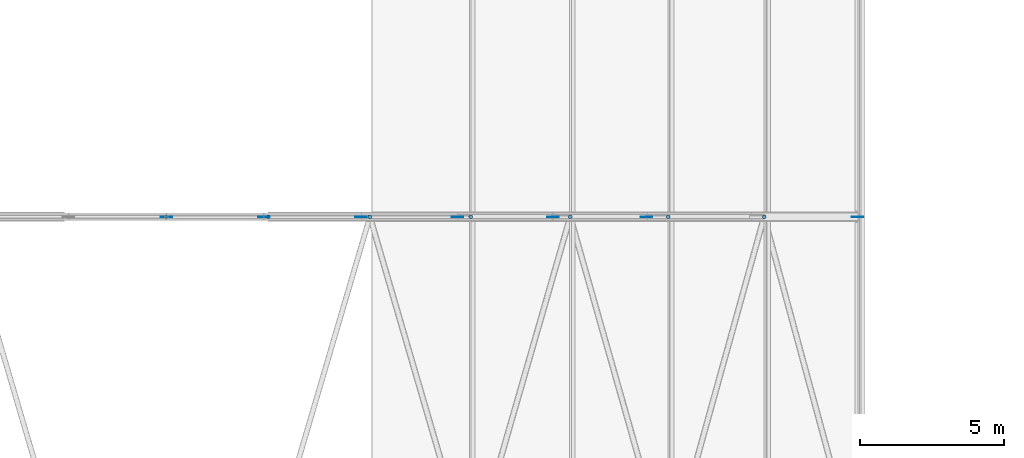
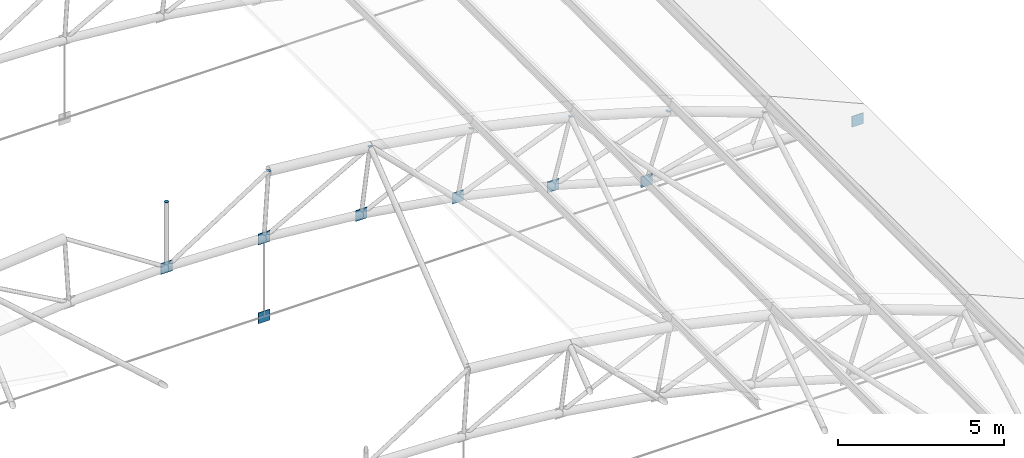
# One storey, part 289 of 321: 15 discrete accessories.
"""IFC4 building model written with IfcOpenShell, lengths in metres."""

from ifc_helpers import new_model, si_unit, direction, frame, origin, origin_2d, place, context, subcontext, project, spatial, rectangle, circle, extrude, material, material_profile, profile_set, type_object, element, save


model = new_model("IFC4")

# Units and contexts
model_context = context("Model", 3, precision=1e-05, world=origin(), true_north=direction((0.0, 1.0)))
body_context = subcontext(model_context, "Body", "Model", "MODEL_VIEW")
ifc_project = project(units=[si_unit("LENGTHUNIT", "METRE"), si_unit("AREAUNIT", "SQUARE_METRE"), si_unit("VOLUMEUNIT", "CUBIC_METRE"), si_unit("PLANEANGLEUNIT", "RADIAN"), si_unit("MASSUNIT", "GRAM", prefix="KILO")], contexts=[model_context])

# Site, building, storey
site_placement = place(None, origin())
site = spatial("IfcSite", under=ifc_project, at=site_placement, CompositionType="ELEMENT")
building_placement = place(site_placement, origin())
building = spatial("IfcBuilding", under=site, at=building_placement, Name="Ravi Spectrum Wholesale Market", CompositionType="ELEMENT")
storey_placement = place(building_placement, frame((0.0, 0.0, 10.800048828125)))
storey = spatial("IfcBuildingStorey", under=building, at=storey_placement, Name="L02", CompositionType="ELEMENT", Elevation=10.800048828125)

# Discrete accessories
ifc_material_1 = material(Name="Steel S355", Category="steel")
ifc_material_profile_1 = material_profile(ifc_material_1, circle(Radius=0.06982421875, at=origin_2d()))
ifc_profile_set_1 = profile_set([ifc_material_profile_1], Name="Steel S355")
discrete_accessory_type_1 = type_object("IfcDiscreteAccessoryType", Name="End plate CHS 139.7x5", PredefinedType="BRACKET", material=ifc_profile_set_1)
for number, where, z_axis, x_axis, name in (
    (1, (174.0, 102.0, 5.39990234375), (0.0, 0.0, 1.0), (1.0, 0.0, 0.0), "End plate"),
    (2, (177.540771484375, 102.0, 5.2880859375), (0.06111006328, 0.0, 0.998131033565), (0.0, 1.0, 0.0), "End plate"),
    (3, (181.0673828125, 102.0, 4.952392578125), (0.121541190452, 0.0, 0.992586388695), (0.0, 1.0, 0.0), "End plate"),
    (4, (184.565673828125, 102.0, 4.394775390625), (0.203954254112, 0.0, 0.978980419738), (0.0, 1.0, 0.0), "End plate"),
    (5, (188.02197265625, 102.0, 3.6171875), (0.247383245266, 0.0, 0.968917710624), (0.0, 1.0, 0.0), "End plate"),
    (6, (191.422119140625, 102.0, 2.62255859375), (0.304040173793, 0.0, 0.952659211219), (0.0, 1.0, 0.0), "End plate"),
    (7, (194.75244140625, 102.0, 1.415283203125), (0.364399348581, 0.0, 0.931242779706), (0.0, 1.0, 0.0), "End plate"),
):
    element("IfcDiscreteAccessory", number, at=place(storey_placement, frame(where, z_axis=z_axis, x_axis=x_axis)), inside=storey, type_object=discrete_accessory_type_1, Name=name, PredefinedType="BRACKET", context=body_context, shape_type="SweptSolid", body=[
        extrude(circle(Radius=0.06982421875, at=origin_2d()), origin(), (0.0, 0.0, 1.0), 0.011962890625),
    ])
ifc_material_2 = material(Name="Steel S355", Category="steel")
ifc_material_profile_2 = material_profile(ifc_material_2, rectangle(XDim=0.39990234375, YDim=0.02001953125, at=origin_2d()))
ifc_profile_set_2 = profile_set([ifc_material_profile_2], Name="Steel S355")
discrete_accessory_type_2 = type_object("IfcDiscreteAccessoryType", Name="Gusset plate 400x400x20", PredefinedType="BRACKET", material=ifc_profile_set_2)
for number, where, z_axis, x_axis, name in (
    (8, (174.0, 102.0, 2.800048828125), (0.0, 0.0, 1.0), (1.0, 0.0, 0.0), "Gusset plate"),
    (9, (177.38916015625, 102.0, -0.199951171875), (0.0, 0.0, 1.0), (1.0, 0.0, 0.0), "Gusset plate"),
    (10, (177.38916015625, 102.0, 2.69287109375), (0.0, 0.0, 1.0), (-1.0, 0.0, 0.0), "Gusset plate"),
):
    element("IfcDiscreteAccessory", number, at=place(storey_placement, frame(where, z_axis=z_axis, x_axis=x_axis)), inside=storey, type_object=discrete_accessory_type_2, Name=name, PredefinedType="BRACKET", context=body_context, shape_type="SweptSolid", body=[
        extrude(rectangle(XDim=0.39990234375, YDim=0.02001953125, at=origin_2d()), origin(), (0.0, 0.0, 1.0), 0.39990234375),
    ])
discrete_accessory_1_placement = place(storey_placement, frame((180.7646484375, 102.0, 2.37158203125), z_axis=(0.0, 0.0, 1.0), x_axis=(-1.0, 0.0, 0.0)))
element("IfcDiscreteAccessory", 11, at=discrete_accessory_1_placement, inside=storey, type_object=discrete_accessory_type_2, Name="Gusset plate", PredefinedType="BRACKET", context=body_context, shape_type="SweptSolid", body=[
    extrude(rectangle(XDim=0.39990234375, YDim=0.02001953125, at=origin_2d()), origin(), (0.0, 0.0, 1.0), 0.400146484375),
])
for number, where, z_axis, x_axis, name in (
    (12, (184.11328125, 102.0, 1.837890625), (0.0, 0.0, 1.0), (-1.0, 0.0, 0.0), "Gusset plate"),
    (13, (187.42138671875, 102.0, 1.093505859375), (0.0, 0.0, 1.0), (-1.0, 0.0, 0.0), "Gusset plate"),
):
    element("IfcDiscreteAccessory", number, at=place(storey_placement, frame(where, z_axis=z_axis, x_axis=x_axis)), inside=storey, type_object=discrete_accessory_type_2, Name=name, PredefinedType="BRACKET", context=body_context, shape_type="SweptSolid", body=[
        extrude(rectangle(XDim=0.39990234375, YDim=0.02001953125, at=origin_2d()), origin(), (0.0, 0.0, 1.0), 0.39990234375),
    ])
discrete_accessory_2_placement = place(storey_placement, frame((190.67578125, 102.0, 0.1416015625), z_axis=(0.0, 0.0, 1.0), x_axis=(-1.0, 0.0, 0.0)))
element("IfcDiscreteAccessory", 14, at=discrete_accessory_2_placement, inside=storey, type_object=discrete_accessory_type_2, Name="Gusset plate", PredefinedType="BRACKET", context=body_context, shape_type="SweptSolid", body=[
    extrude(rectangle(XDim=0.39990234375, YDim=0.02001953125, at=origin_2d()), origin(), (0.0, 0.0, 1.0), 0.400146484375),
])
discrete_accessory_3_placement = place(storey_placement, frame((198.0, 102.0, -0.199951171875), z_axis=(0.0, 0.0, 1.0), x_axis=(1.0, 0.0, 0.0)))
element("IfcDiscreteAccessory", 15, at=discrete_accessory_3_placement, inside=storey, type_object=discrete_accessory_type_2, Name="Gusset plate", PredefinedType="BRACKET", context=body_context, shape_type="SweptSolid", body=[
    extrude(rectangle(XDim=0.39990234375, YDim=0.02001953125, at=origin_2d()), origin(), (0.0, 0.0, 1.0), 0.39990234375),
])

save(model, "model.ifc")
